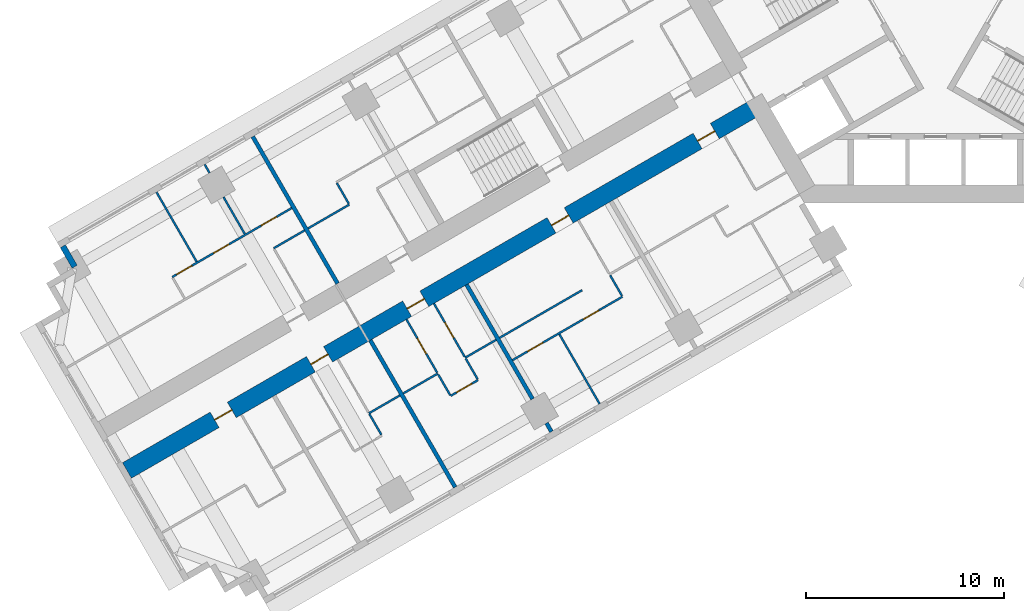
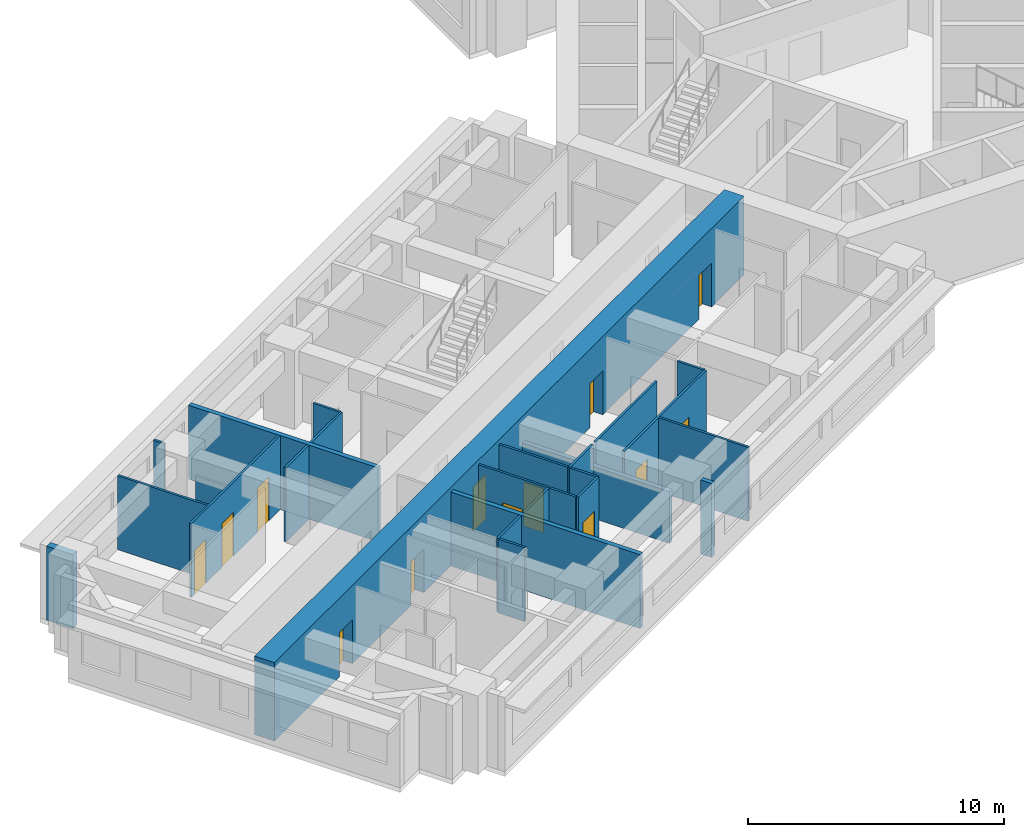
# One storey, part 4 of 16: 26 walls, 13 doors, 13 openings.
"""IFC4 building model written with IfcOpenShell, lengths in metres."""

from ifc_helpers import new_model, si_unit, direction, frame, frame_2d, origin, place, context, subcontext, project, spatial, rectangle, extrude, material, layer, layer_set, type_object, element, fill, save


model = new_model("IFC4")

# Units and contexts
model_context = context("Model", 3, precision=1e-05, world=origin(), true_north=direction((0.0, 1.0)))
body_context = subcontext(model_context, "Body", "Model", "MODEL_VIEW")
ifc_project = project(units=[si_unit("LENGTHUNIT", "METRE"), si_unit("AREAUNIT", "SQUARE_METRE"), si_unit("VOLUMEUNIT", "CUBIC_METRE"), si_unit("PLANEANGLEUNIT", "RADIAN"), si_unit("MASSUNIT", "GRAM", prefix="KILO")], contexts=[model_context])

# Site, building, storey
site_placement = place(None, origin())
site = spatial("IfcSite", under=ifc_project, at=site_placement, CompositionType="ELEMENT")
building_placement = place(site_placement, origin())
building = spatial("IfcBuilding", under=site, at=building_placement, Name="Impinga Residences", CompositionType="ELEMENT")
storey_placement = place(building_placement, frame((0.0, 0.0, 74.75)))
storey = spatial("IfcBuildingStorey", under=building, at=storey_placement, Name="L18", CompositionType="ELEMENT", Elevation=74.75)

# Wall, openings, doors
ifc_material_1 = material(Name="Concrete C70/85", Category="concrete")
ifc_layer_1 = layer(ifc_material_1, 0.89990234375)
ifc_layer_set_1 = layer_set([ifc_layer_1], Name="Concrete C70/85")
wall_type_1 = type_object("IfcWallType", Name="BW1 corridor buttress wall, L05 to L22 900", PredefinedType="SHEAR", material=ifc_layer_set_1)
wall_1_placement = place(storey_placement, frame((-8.910400390625, -6.530029296875, 0.0), z_axis=(0.0, 0.0, 1.0), x_axis=(-0.866025284237, -0.500000207062, 0.0)))
wall_1 = element("IfcWall", 1, at=wall_1_placement, inside=storey, type_object=wall_type_1, Name="Corridor wall BW1 WC L18", PredefinedType="SHEAR", context=body_context, shape_type="SweptSolid", body=[
    extrude(rectangle(XDim=36.75, YDim=0.89990234375, at=frame_2d((18.375, 0.0))), origin(), (0.0, 0.0, 1.0), 3.75),
])
opening_1_placement = place(wall_1_placement, frame((2.550048828125, 0.0, 0.0)))
opening_1 = element("IfcOpeningElement", 2, at=opening_1_placement, cuts=wall_1, Name="Opening D1", PredefinedType="OPENING", context=body_context, shape_type="SweptSolid", body=[
    extrude(rectangle(XDim=1.0, YDim=2.10009765625, at=frame_2d((0.5, 1.050048828125))), frame((0.0, 0.4599609375, 0.0), z_axis=(0.0, -1.0, 0.0), x_axis=(1.0, 0.0, 0.0)), (0.0, 0.0, 1.0), 0.919921875),
])
opening_2_placement = place(wall_1_placement, frame((11.050048828125, 0.0, 0.0)))
opening_2 = element("IfcOpeningElement", 3, at=opening_2_placement, cuts=wall_1, Name="Opening D1", PredefinedType="OPENING", context=body_context, shape_type="SweptSolid", body=[
    extrude(rectangle(XDim=1.0, YDim=2.10009765625, at=frame_2d((0.5, 1.050048828125))), frame((0.0, 0.4599609375, 0.0), z_axis=(0.0, -1.0, 0.0), x_axis=(1.0, 0.0, 0.0)), (0.0, 0.0, 1.0), 0.919921875),
])
opening_3_placement = place(wall_1_placement, frame((19.449951171875, 0.0, 0.0)))
opening_3 = element("IfcOpeningElement", 4, at=opening_3_placement, cuts=wall_1, Name="Opening D1", PredefinedType="OPENING", context=body_context, shape_type="SweptSolid", body=[
    extrude(rectangle(XDim=1.0, YDim=2.10009765625, at=frame_2d((0.5, 1.050048828125))), frame((0.0, 0.4599609375, 0.0), z_axis=(0.0, -1.0, 0.0), x_axis=(1.0, 0.0, 0.0)), (0.0, 0.0, 1.0), 0.919921875),
])
opening_4_placement = place(wall_1_placement, frame((25.050048828125, 0.0, 0.0)))
opening_4 = element("IfcOpeningElement", 5, at=opening_4_placement, cuts=wall_1, Name="Opening D1", PredefinedType="OPENING", context=body_context, shape_type="SweptSolid", body=[
    extrude(rectangle(XDim=1.0, YDim=2.10009765625, at=frame_2d((0.5, 1.050048828125))), frame((0.0, 0.4599609375, 0.0), z_axis=(0.0, -1.0, 0.0), x_axis=(1.0, 0.0, 0.0)), (0.0, 0.0, 1.0), 0.919921875),
])
opening_5_placement = place(wall_1_placement, frame((30.64990234375, 0.0, 0.0)))
opening_5 = element("IfcOpeningElement", 6, at=opening_5_placement, cuts=wall_1, Name="Opening D1", PredefinedType="OPENING", context=body_context, shape_type="SweptSolid", body=[
    extrude(rectangle(XDim=1.0, YDim=2.10009765625, at=frame_2d((0.5, 1.050048828125))), frame((0.0, 0.4599609375, 0.0), z_axis=(0.0, -1.0, 0.0), x_axis=(1.0, 0.0, 0.0)), (0.0, 0.0, 1.0), 0.919921875),
])
ifc_material_2 = material(Name="Timber door set", Category="wood")
door_type_1 = type_object("IfcDoorType", Name="D1 apartment entrance door 1000x2100", OperationType="SINGLE_SWING_LEFT", PredefinedType="DOOR", material=ifc_material_2)
door_1_placement = place(opening_1_placement, origin())
door_1 = element("IfcDoor", 7, at=door_1_placement, inside=storey, type_object=door_type_1, Name="Apartment L18-WA1 entrance", OperationType="SINGLE_SWING_LEFT", OverallHeight=2.10009765625, OverallWidth=1.0, PredefinedType="DOOR", context=body_context, shape_type="SweptSolid", body=[
    extrude(rectangle(XDim=1.0, YDim=2.10009765625, at=frame_2d((0.5, 1.050048828125))), frame((0.0, 0.02490234375, 0.0), z_axis=(0.0, -1.0, 0.0), x_axis=(1.0, 0.0, 0.0)), (0.0, 0.0, 1.0), 0.050048828125),
])
fill(opening_1, door_1)
door_2_placement = place(opening_2_placement, origin())
door_2 = element("IfcDoor", 8, at=door_2_placement, inside=storey, type_object=door_type_1, Name="Apartment L18-WA2 entrance", OperationType="SINGLE_SWING_LEFT", OverallHeight=2.10009765625, OverallWidth=1.0, PredefinedType="DOOR", context=body_context, shape_type="SweptSolid", body=[
    extrude(rectangle(XDim=1.0, YDim=2.10009765625, at=frame_2d((0.5, 1.050048828125))), frame((0.0, 0.02490234375, 0.0), z_axis=(0.0, -1.0, 0.0), x_axis=(1.0, 0.0, 0.0)), (0.0, 0.0, 1.0), 0.050048828125),
])
fill(opening_2, door_2)
door_3_placement = place(opening_3_placement, origin())
door_3 = element("IfcDoor", 9, at=door_3_placement, inside=storey, type_object=door_type_1, Name="Apartment L18-WA3 entrance", OperationType="SINGLE_SWING_RIGHT", OverallHeight=2.10009765625, OverallWidth=1.0, PredefinedType="DOOR", context=body_context, shape_type="SweptSolid", body=[
    extrude(rectangle(XDim=1.0, YDim=2.10009765625, at=frame_2d((0.5, 1.050048828125))), frame((0.0, 0.02490234375, 0.0), z_axis=(0.0, -1.0, 0.0), x_axis=(1.0, 0.0, 0.0)), (0.0, 0.0, 1.0), 0.050048828125),
])
fill(opening_3, door_3)
door_4_placement = place(opening_4_placement, origin())
door_4 = element("IfcDoor", 10, at=door_4_placement, inside=storey, type_object=door_type_1, Name="Apartment L18-WA4 entrance", OperationType="SINGLE_SWING_RIGHT", OverallHeight=2.10009765625, OverallWidth=1.0, PredefinedType="DOOR", context=body_context, shape_type="SweptSolid", body=[
    extrude(rectangle(XDim=1.0, YDim=2.10009765625, at=frame_2d((0.5, 1.050048828125))), frame((0.0, 0.02490234375, 0.0), z_axis=(0.0, -1.0, 0.0), x_axis=(1.0, 0.0, 0.0)), (0.0, 0.0, 1.0), 0.050048828125),
])
fill(opening_4, door_4)
door_5_placement = place(opening_5_placement, origin())
door_5 = element("IfcDoor", 11, at=door_5_placement, inside=storey, type_object=door_type_1, Name="Apartment L18-WA5 entrance", OperationType="SINGLE_SWING_RIGHT", OverallHeight=2.10009765625, OverallWidth=1.0, PredefinedType="DOOR", context=body_context, shape_type="SweptSolid", body=[
    extrude(rectangle(XDim=1.0, YDim=2.10009765625, at=frame_2d((0.5, 1.050048828125))), frame((0.0, 0.02490234375, 0.0), z_axis=(0.0, -1.0, 0.0), x_axis=(1.0, 0.0, 0.0)), (0.0, 0.0, 1.0), 0.050048828125),
])
fill(opening_5, door_5)

# Walls
ifc_material_3 = material(Name="Terracotta rainscreen on blockwork", Category="masonry")
ifc_layer_2 = layer(ifc_material_3, 0.300048828125)
ifc_layer_set_2 = layer_set([ifc_layer_2], Name="EW1 external wall, terracotta rainscreen on blockwork 300")
wall_type_2 = type_object("IfcWallType", Name="EW1 external wall, terracotta rainscreen on blockwork 300", PredefinedType="SOLIDWALL", material=ifc_layer_set_2)
wall_2_placement = place(storey_placement, frame((-43.37109375, -14.64208984375, 0.0), z_axis=(0.0, 0.0, 1.0), x_axis=(-0.500029051137, 0.866008630453, 0.0)))
element("IfcWall", 12, at=wall_2_placement, inside=storey, type_object=wall_type_2, Name="External wall EW1 L18", PredefinedType="SOLIDWALL", context=body_context, shape_type="SweptSolid", body=[
    extrude(rectangle(XDim=1.19482421875, YDim=0.300048828125, at=frame_2d((0.597412109375, 0.0))), origin(), (0.0, 0.0, 1.0), 3.530029296875),
])
ifc_material_4 = material(Name="Gypsum board on steel studs", Category="steel")
ifc_layer_3 = layer(ifc_material_4, 0.10009765625)
ifc_layer_set_3 = layer_set([ifc_layer_3], Name="Gypsum board on steel studs")
wall_type_3 = type_object("IfcWallType", Name="IP1 partition 100", PredefinedType="PARTITIONING", material=ifc_layer_set_3)
wall_3_placement = place(storey_placement, frame((-17.8056640625, -15.82275390625, 0.0), z_axis=(0.0, 0.0, 1.0), x_axis=(-0.866037363387, -0.499979284789, 0.0)))
element("IfcWall", 13, at=wall_3_placement, inside=storey, type_object=wall_type_3, Name="Partition L18-WA2:DIV1", PredefinedType="PARTITIONING", context=body_context, shape_type="SweptSolid", body=[
    extrude(rectangle(XDim=4.800048828125, YDim=0.10009765625, at=frame_2d((2.39990234375, 0.0))), origin(), (0.0, 0.0, 1.0), 3.530029296875),
])

# Wall, openings, doors
wall_4_placement = place(storey_placement, frame((-15.77001953125, -16.1484375, 0.0), z_axis=(0.0, 0.0, 1.0), x_axis=(-0.866018518567, -0.500011925357, 0.0)))
wall_4 = element("IfcWall", 14, at=wall_4_placement, inside=storey, type_object=wall_type_3, Name="Partition L18-WA2:STRIP", PredefinedType="PARTITIONING", context=body_context, shape_type="SweptSolid", body=[
    extrude(rectangle(XDim=6.400146484375, YDim=0.10009765625, at=frame_2d((3.2001953125, 0.0))), origin(), (0.0, 0.0, 1.0), 3.530029296875),
])
opening_6_placement = place(wall_4_placement, frame((1.375, 0.0, 0.0)))
opening_6 = element("IfcOpeningElement", 15, at=opening_6_placement, cuts=wall_4, Name="Opening D2", PredefinedType="OPENING", context=body_context, shape_type="SweptSolid", body=[
    extrude(rectangle(XDim=0.89990234375, YDim=2.10009765625, at=frame_2d((0.449951171875, 1.050048828125))), frame((0.0, 0.06005859375, 0.0), z_axis=(0.0, -1.0, 0.0), x_axis=(1.0, 0.0, 0.0)), (0.0, 0.0, 1.0), 0.1201171875),
])
opening_7_placement = place(wall_4_placement, frame((4.625, 0.0, 0.0)))
opening_7 = element("IfcOpeningElement", 16, at=opening_7_placement, cuts=wall_4, Name="Opening D2", PredefinedType="OPENING", context=body_context, shape_type="SweptSolid", body=[
    extrude(rectangle(XDim=0.89990234375, YDim=2.10009765625, at=frame_2d((0.449951171875, 1.050048828125))), frame((0.0, 0.06005859375, 0.0), z_axis=(0.0, -1.0, 0.0), x_axis=(1.0, 0.0, 0.0)), (0.0, 0.0, 1.0), 0.1201171875),
])
door_type_2 = type_object("IfcDoorType", Name="D2 internal door 900x2100", OperationType="SINGLE_SWING_LEFT", PredefinedType="DOOR", material=ifc_material_2)
door_6_placement = place(opening_6_placement, origin())
door_6 = element("IfcDoor", 17, at=door_6_placement, inside=storey, type_object=door_type_2, Name="Apartment L18-WA2 room door", OperationType="SINGLE_SWING_LEFT", OverallHeight=2.10009765625, OverallWidth=0.89990234375, PredefinedType="DOOR", context=body_context, shape_type="SweptSolid", body=[
    extrude(rectangle(XDim=0.89990234375, YDim=2.10009765625, at=frame_2d((0.449951171875, 1.050048828125))), frame((0.0, 0.02490234375, 0.0), z_axis=(0.0, -1.0, 0.0), x_axis=(1.0, 0.0, 0.0)), (0.0, 0.0, 1.0), 0.050048828125),
])
fill(opening_6, door_6)
door_7_placement = place(opening_7_placement, origin())
door_7 = element("IfcDoor", 18, at=door_7_placement, inside=storey, type_object=door_type_2, Name="Apartment L18-WA2 room door", OperationType="SINGLE_SWING_RIGHT", OverallHeight=2.10009765625, OverallWidth=0.89990234375, PredefinedType="DOOR", context=body_context, shape_type="SweptSolid", body=[
    extrude(rectangle(XDim=0.89990234375, YDim=2.10009765625, at=frame_2d((0.449951171875, 1.050048828125))), frame((0.0, 0.02490234375, 0.0), z_axis=(0.0, -1.0, 0.0), x_axis=(1.0, 0.0, 0.0)), (0.0, 0.0, 1.0), 0.050048828125),
])
fill(opening_7, door_7)

# Walls
wall_5_placement = place(storey_placement, frame((-16.39501953125, -15.06591796875, 0.0), z_axis=(0.0, 0.0, 1.0), x_axis=(0.499880961361, -0.866094119867, 0.0)))
element("IfcWall", 19, at=wall_5_placement, inside=storey, type_object=wall_type_3, Name="Partition L18-WA2:SE0", PredefinedType="PARTITIONING", context=body_context, shape_type="SweptSolid", body=[
    extrude(rectangle(XDim=1.199951171875, YDim=0.10009765625, at=frame_2d((0.60009765625, 0.0))), origin(), (0.0, 0.0, 1.0), 3.530029296875),
])
wall_6_placement = place(storey_placement, frame((-18.949462890625, -18.041748046875, 0.0), z_axis=(0.0, 0.0, 1.0), x_axis=(0.50000943426, -0.866019956843, 0.0)))
element("IfcWall", 20, at=wall_6_placement, inside=storey, type_object=wall_type_3, Name="Partition L18-WA2:OB1", PredefinedType="PARTITIONING", context=body_context, shape_type="SweptSolid", body=[
    extrude(rectangle(XDim=4.05029296875, YDim=0.10009765625, at=frame_2d((2.025146484375, 0.0))), origin(), (0.0, 0.0, 1.0), 3.530029296875),
])
wall_7_placement = place(storey_placement, frame((-22.1357421875, -18.32275390625, 0.0), z_axis=(0.0, 0.0, 1.0), x_axis=(-0.866047807691, -0.499961193289, 0.0)))
element("IfcWall", 21, at=wall_7_placement, inside=storey, type_object=wall_type_3, Name="Partition L18-WA3:DIV0", PredefinedType="PARTITIONING", context=body_context, shape_type="SweptSolid", body=[
    extrude(rectangle(XDim=1.800048828125, YDim=0.10009765625, at=frame_2d((0.89990234375, 0.0))), origin(), (0.0, 0.0, 1.0), 3.530029296875),
])
wall_8_placement = place(storey_placement, frame((-25.080322265625, -20.022705078125, 0.0), z_axis=(0.0, 0.0, 1.0), x_axis=(-0.866010750942, -0.50002537861, 0.0)))
element("IfcWall", 22, at=wall_8_placement, inside=storey, type_object=wall_type_3, Name="Partition L18-WA3:DIV1", PredefinedType="PARTITIONING", context=body_context, shape_type="SweptSolid", body=[
    extrude(rectangle(XDim=2.0, YDim=0.10009765625, at=frame_2d((1.0, 0.0))), origin(), (0.0, 0.0, 1.0), 3.530029296875),
])

# Wall, opening, door
wall_9_placement = place(storey_placement, frame((-23.044677734375, -20.3486328125, 0.0), z_axis=(0.0, 0.0, 1.0), x_axis=(-0.866094119867, -0.499880961361, 0.0)))
wall_9 = element("IfcWall", 23, at=wall_9_placement, inside=storey, type_object=wall_type_3, Name="Partition L18-WA3:STRIP", PredefinedType="PARTITIONING", context=body_context, shape_type="SweptSolid", body=[
    extrude(rectangle(XDim=1.60009765625, YDim=0.10009765625, at=frame_2d((0.800048828125, 0.0))), origin(), (0.0, 0.0, 1.0), 3.530029296875),
])
opening_8_placement = place(wall_9_placement, frame((0.35009765625, 0.0, 0.0)))
opening_8 = element("IfcOpeningElement", 24, at=opening_8_placement, cuts=wall_9, Name="Opening D2", PredefinedType="OPENING", context=body_context, shape_type="SweptSolid", body=[
    extrude(rectangle(XDim=0.89990234375, YDim=2.10009765625, at=frame_2d((0.449951171875, 1.050048828125))), frame((0.0, 0.06005859375, 0.0), z_axis=(0.0, -1.0, 0.0), x_axis=(1.0, 0.0, 0.0)), (0.0, 0.0, 1.0), 0.1201171875),
])
door_8_placement = place(opening_8_placement, origin())
door_8 = element("IfcDoor", 25, at=door_8_placement, inside=storey, type_object=door_type_2, Name="Apartment L18-WA3 room door", OperationType="SINGLE_SWING_LEFT", OverallHeight=2.10009765625, OverallWidth=0.89990234375, PredefinedType="DOOR", context=body_context, shape_type="SweptSolid", body=[
    extrude(rectangle(XDim=0.89990234375, YDim=2.10009765625, at=frame_2d((0.449951171875, 1.050048828125))), frame((0.0, 0.02490234375, 0.0), z_axis=(0.0, -1.0, 0.0), x_axis=(1.0, 0.0, 0.0)), (0.0, 0.0, 1.0), 0.050048828125),
])
fill(opening_8, door_8)

# Walls
for number, where, z_axis, x_axis, name in (
    (26, (-23.669677734375, -19.265869140625, 0.0), (0.0, 0.0, 1.0), (0.500033551112, -0.866006032174, 0.0), "Partition L18-WA3:SE0"),
    (27, (-25.055419921875, -20.06591796875, 0.0), (0.0, 0.0, 1.0), (0.500033551112, -0.866006032174, 0.0), "Partition L18-WA3:SE1"),
):
    element("IfcWall", number, at=place(storey_placement, frame(where, z_axis=z_axis, x_axis=x_axis)), inside=storey, type_object=wall_type_3, Name=name, PredefinedType="PARTITIONING", context=body_context, shape_type="SweptSolid", body=[
        extrude(rectangle(XDim=1.2001953125, YDim=0.10009765625, at=frame_2d((0.60009765625, 0.0))), origin(), (0.0, 0.0, 1.0), 3.530029296875),
    ])

# Wall, opening, door
wall_10_placement = place(storey_placement, frame((-25.269775390625, -16.49462890625, 0.0), z_axis=(0.0, 0.0, 1.0), x_axis=(0.49999285859, -0.86602952684, 0.0)))
wall_10 = element("IfcWall", 28, at=wall_10_placement, inside=storey, type_object=wall_type_3, Name="Partition L18-WA3:IB1", PredefinedType="PARTITIONING", context=body_context, shape_type="SweptSolid", body=[
    extrude(rectangle(XDim=3.10009765625, YDim=0.10009765625, at=frame_2d((1.550048828125, 0.0))), origin(), (0.0, 0.0, 1.0), 3.530029296875),
])
opening_9_placement = place(wall_10_placement, frame((1.10009765625, 0.0, 0.0)))
opening_9 = element("IfcOpeningElement", 29, at=opening_9_placement, cuts=wall_10, Name="Opening D2", PredefinedType="OPENING", context=body_context, shape_type="SweptSolid", body=[
    extrude(rectangle(XDim=0.89990234375, YDim=2.10009765625, at=frame_2d((0.449951171875, 1.050048828125))), frame((0.0, 0.06005859375, 0.0), z_axis=(0.0, -1.0, 0.0), x_axis=(1.0, 0.0, 0.0)), (0.0, 0.0, 1.0), 0.1201171875),
])
door_9_placement = place(opening_9_placement, origin())
door_9 = element("IfcDoor", 30, at=door_9_placement, inside=storey, type_object=door_type_2, Name="Apartment L18-WA3 bathroom door", OperationType="SINGLE_SWING_LEFT", OverallHeight=2.10009765625, OverallWidth=0.89990234375, PredefinedType="DOOR", context=body_context, shape_type="SweptSolid", body=[
    extrude(rectangle(XDim=0.89990234375, YDim=2.10009765625, at=frame_2d((0.449951171875, 1.050048828125))), frame((0.0, 0.02490234375, 0.0), z_axis=(0.0, -1.0, 0.0), x_axis=(1.0, 0.0, 0.0)), (0.0, 0.0, 1.0), 0.050048828125),
])
fill(opening_9, door_9)

wall_11_placement = place(storey_placement, frame((-26.6552734375, -17.294677734375, 0.0), z_axis=(0.0, 0.0, 1.0), x_axis=(0.49999285859, -0.86602952684, 0.0)))
wall_11 = element("IfcWall", 31, at=wall_11_placement, inside=storey, type_object=wall_type_3, Name="Partition L18-WA3:IB2", PredefinedType="PARTITIONING", context=body_context, shape_type="SweptSolid", body=[
    extrude(rectangle(XDim=3.10009765625, YDim=0.10009765625, at=frame_2d((1.550048828125, 0.0))), origin(), (0.0, 0.0, 1.0), 3.530029296875),
])
opening_10_placement = place(wall_11_placement, frame((1.10009765625, 0.0, 0.0)))
opening_10 = element("IfcOpeningElement", 32, at=opening_10_placement, cuts=wall_11, Name="Opening D2", PredefinedType="OPENING", context=body_context, shape_type="SweptSolid", body=[
    extrude(rectangle(XDim=0.89990234375, YDim=2.10009765625, at=frame_2d((0.449951171875, 1.050048828125))), frame((0.0, 0.06005859375, 0.0), z_axis=(0.0, -1.0, 0.0), x_axis=(1.0, 0.0, 0.0)), (0.0, 0.0, 1.0), 0.1201171875),
])
door_10_placement = place(opening_10_placement, origin())
door_10 = element("IfcDoor", 33, at=door_10_placement, inside=storey, type_object=door_type_2, Name="Apartment L18-WA3 WC door", OperationType="SINGLE_SWING_LEFT", OverallHeight=2.10009765625, OverallWidth=0.89990234375, PredefinedType="DOOR", context=body_context, shape_type="SweptSolid", body=[
    extrude(rectangle(XDim=0.89990234375, YDim=2.10009765625, at=frame_2d((0.449951171875, 1.050048828125))), frame((0.0, 0.02490234375, 0.0), z_axis=(0.0, -1.0, 0.0), x_axis=(1.0, 0.0, 0.0)), (0.0, 0.0, 1.0), 0.050048828125),
])
fill(opening_10, door_10)

# Walls
wall_12_placement = place(storey_placement, frame((-26.985595703125, -21.122802734375, 0.0), z_axis=(0.0, 0.0, 1.0), x_axis=(-0.866047807691, -0.499961193289, 0.0)))
element("IfcWall", 34, at=wall_12_placement, inside=storey, type_object=wall_type_3, Name="Partition L18-WA4:DIV0", PredefinedType="PARTITIONING", context=body_context, shape_type="SweptSolid", body=[
    extrude(rectangle(XDim=1.800048828125, YDim=0.10009765625, at=frame_2d((0.89990234375, 0.0))), origin(), (0.0, 0.0, 1.0), 3.530029296875),
])
wall_13_placement = place(storey_placement, frame((-28.51953125, -22.06591796875, 0.0), z_axis=(0.0, 0.0, 1.0), x_axis=(0.500033551112, -0.866006032174, 0.0)))
element("IfcWall", 35, at=wall_13_placement, inside=storey, type_object=wall_type_3, Name="Partition L18-WA4:SE0", PredefinedType="PARTITIONING", context=body_context, shape_type="SweptSolid", body=[
    extrude(rectangle(XDim=1.2001953125, YDim=0.10009765625, at=frame_2d((0.60009765625, 0.0))), origin(), (0.0, 0.0, 1.0), 3.530029296875),
])
wall_14_placement = place(storey_placement, frame((-29.533935546875, -11.5087890625, 0.0), z_axis=(0.0, 0.0, 1.0), x_axis=(-0.866024647952, -0.500001309137, 0.0)))
element("IfcWall", 36, at=wall_14_placement, inside=storey, type_object=wall_type_3, Name="Partition L18-WF2:DIV1", PredefinedType="PARTITIONING", context=body_context, shape_type="SweptSolid", body=[
    extrude(rectangle(XDim=2.39990234375, YDim=0.10009765625, at=frame_2d((1.199951171875, 0.0))), origin(), (0.0, 0.0, 1.0), 3.530029296875),
])
wall_15_placement = place(storey_placement, frame((-29.558837890625, -11.465576171875, 0.0), z_axis=(0.0, 0.0, 1.0), x_axis=(-0.500033551112, 0.866006032174, 0.0)))
element("IfcWall", 37, at=wall_15_placement, inside=storey, type_object=wall_type_3, Name="Partition L18-WF2:SE1", PredefinedType="PARTITIONING", context=body_context, shape_type="SweptSolid", body=[
    extrude(rectangle(XDim=1.2001953125, YDim=0.10009765625, at=frame_2d((0.60009765625, 0.0))), origin(), (0.0, 0.0, 1.0), 3.530029296875),
])
wall_16_placement = place(storey_placement, frame((-31.78564453125, -12.808837890625, 0.0), z_axis=(0.0, 0.0, 1.0), x_axis=(-0.866047807691, -0.499961193289, 0.0)))
element("IfcWall", 38, at=wall_16_placement, inside=storey, type_object=wall_type_3, Name="Partition L18-WF3:DIV0", PredefinedType="PARTITIONING", context=body_context, shape_type="SweptSolid", body=[
    extrude(rectangle(XDim=1.800048828125, YDim=0.10009765625, at=frame_2d((0.89990234375, 0.0))), origin(), (0.0, 0.0, 1.0), 3.530029296875),
])

# Wall, openings, doors
wall_17_placement = place(storey_placement, frame((-32.435546875, -11.68310546875, 0.0), z_axis=(0.0, 0.0, 1.0), x_axis=(-0.866031734426, -0.499989034847, 0.0)))
wall_17 = element("IfcWall", 39, at=wall_17_placement, inside=storey, type_object=wall_type_3, Name="Partition L18-WF3:STRIP", PredefinedType="PARTITIONING", context=body_context, shape_type="SweptSolid", body=[
    extrude(rectangle(XDim=6.949951171875, YDim=0.10009765625, at=frame_2d((3.47509765625, 0.0))), origin(), (0.0, 0.0, 1.0), 3.530029296875),
])
opening_11_placement = place(wall_17_placement, frame((0.875, 0.0, 0.0)))
opening_11 = element("IfcOpeningElement", 40, at=opening_11_placement, cuts=wall_17, Name="Opening D2", PredefinedType="OPENING", context=body_context, shape_type="SweptSolid", body=[
    extrude(rectangle(XDim=0.89990234375, YDim=2.10009765625, at=frame_2d((0.449951171875, 1.050048828125))), frame((0.0, 0.06005859375, 0.0), z_axis=(0.0, -1.0, 0.0), x_axis=(1.0, 0.0, 0.0)), (0.0, 0.0, 1.0), 0.1201171875),
])
opening_12_placement = place(wall_17_placement, frame((3.64990234375, 0.0, 0.0)))
opening_12 = element("IfcOpeningElement", 41, at=opening_12_placement, cuts=wall_17, Name="Opening D2", PredefinedType="OPENING", context=body_context, shape_type="SweptSolid", body=[
    extrude(rectangle(XDim=0.89990234375, YDim=2.10009765625, at=frame_2d((0.449951171875, 1.050048828125))), frame((0.0, 0.06005859375, 0.0), z_axis=(0.0, -1.0, 0.0), x_axis=(1.0, 0.0, 0.0)), (0.0, 0.0, 1.0), 0.1201171875),
])
opening_13_placement = place(wall_17_placement, frame((5.800048828125, 0.0, 0.0)))
opening_13 = element("IfcOpeningElement", 42, at=opening_13_placement, cuts=wall_17, Name="Opening D2", PredefinedType="OPENING", context=body_context, shape_type="SweptSolid", body=[
    extrude(rectangle(XDim=0.89990234375, YDim=2.10009765625, at=frame_2d((0.449951171875, 1.050048828125))), frame((0.0, 0.06005859375, 0.0), z_axis=(0.0, -1.0, 0.0), x_axis=(1.0, 0.0, 0.0)), (0.0, 0.0, 1.0), 0.1201171875),
])
door_11_placement = place(opening_11_placement, origin())
door_11 = element("IfcDoor", 43, at=door_11_placement, inside=storey, type_object=door_type_2, Name="Apartment L18-WF3 room door", OperationType="SINGLE_SWING_LEFT", OverallHeight=2.10009765625, OverallWidth=0.89990234375, PredefinedType="DOOR", context=body_context, shape_type="SweptSolid", body=[
    extrude(rectangle(XDim=0.89990234375, YDim=2.10009765625, at=frame_2d((0.449951171875, 1.050048828125))), frame((0.0, 0.02490234375, 0.0), z_axis=(0.0, -1.0, 0.0), x_axis=(1.0, 0.0, 0.0)), (0.0, 0.0, 1.0), 0.050048828125),
])
fill(opening_11, door_11)
door_12_placement = place(opening_12_placement, origin())
door_12 = element("IfcDoor", 44, at=door_12_placement, inside=storey, type_object=door_type_2, Name="Apartment L18-WF3 room door", OperationType="SINGLE_SWING_RIGHT", OverallHeight=2.10009765625, OverallWidth=0.89990234375, PredefinedType="DOOR", context=body_context, shape_type="SweptSolid", body=[
    extrude(rectangle(XDim=0.89990234375, YDim=2.10009765625, at=frame_2d((0.449951171875, 1.050048828125))), frame((0.0, 0.02490234375, 0.0), z_axis=(0.0, -1.0, 0.0), x_axis=(1.0, 0.0, 0.0)), (0.0, 0.0, 1.0), 0.050048828125),
])
fill(opening_12, door_12)
door_13_placement = place(opening_13_placement, origin())
door_13 = element("IfcDoor", 45, at=door_13_placement, inside=storey, type_object=door_type_2, Name="Apartment L18-WF3 room door", OperationType="SINGLE_SWING_RIGHT", OverallHeight=2.10009765625, OverallWidth=0.89990234375, PredefinedType="DOOR", context=body_context, shape_type="SweptSolid", body=[
    extrude(rectangle(XDim=0.89990234375, YDim=2.10009765625, at=frame_2d((0.449951171875, 1.050048828125))), frame((0.0, 0.02490234375, 0.0), z_axis=(0.0, -1.0, 0.0), x_axis=(1.0, 0.0, 0.0)), (0.0, 0.0, 1.0), 0.050048828125),
])
fill(opening_13, door_13)

# Walls
wall_18_placement = place(storey_placement, frame((-34.798828125, -12.98974609375, 0.0), z_axis=(0.0, 0.0, 1.0), x_axis=(-0.499961633463, 0.866047553582, 0.0)))
element("IfcWall", 46, at=wall_18_placement, inside=storey, type_object=wall_type_3, Name="Partition L18-WF3:OB1", PredefinedType="PARTITIONING", context=body_context, shape_type="SweptSolid", body=[
    extrude(rectangle(XDim=2.150146484375, YDim=0.10009765625, at=frame_2d((1.0751953125, 0.0))), origin(), (0.0, 0.0, 1.0), 2.47998046875),
])
wall_19_placement = place(storey_placement, frame((-36.57373046875, -9.915283203125, 0.0), z_axis=(0.0, 0.0, 1.0), x_axis=(-0.500131122175, 0.865949687125, 0.0)))
element("IfcWall", 47, at=wall_19_placement, inside=storey, type_object=wall_type_3, Name="Partition L18-WF3:OB1b", PredefinedType="PARTITIONING", context=body_context, shape_type="SweptSolid", body=[
    extrude(rectangle(XDim=0.499755859375, YDim=0.10009765625, at=frame_2d((0.25, 0.0))), origin(), (0.0, 0.0, 1.0), 3.530029296875),
])
wall_20_placement = place(storey_placement, frame((-37.2236328125, -14.3896484375, 0.0), z_axis=(0.0, 0.0, 1.0), x_axis=(-0.500035537042, 0.866004885491, 0.0)))
element("IfcWall", 48, at=wall_20_placement, inside=storey, type_object=wall_type_3, Name="Partition L18-WF3:OB2", PredefinedType="PARTITIONING", context=body_context, shape_type="SweptSolid", body=[
    extrude(rectangle(XDim=4.050048828125, YDim=0.10009765625, at=frame_2d((2.02490234375, 0.0))), origin(), (0.0, 0.0, 1.0), 3.530029296875),
])
ifc_material_5 = material(Name="Concrete blockwork", Category="masonry")
ifc_layer_4 = layer(ifc_material_5, 0.199951171875)
ifc_layer_set_4 = layer_set([ifc_layer_4], Name="PW1 party wall between apartments 200")
wall_type_4 = type_object("IfcWallType", Name="PW1 party wall between apartments 200", PredefinedType="SOLIDWALL", material=ifc_layer_set_4)
wall_21_placement = place(storey_placement, frame((-23.624267578125, -15.544677734375, 0.0), z_axis=(0.0, 0.0, 1.0), x_axis=(0.49999681972, -0.866027239912, 0.0)))
element("IfcWall", 49, at=wall_21_placement, inside=storey, type_object=wall_type_4, Name="Party wall between apartments L18-WA2:PARTY", PredefinedType="SOLIDWALL", context=body_context, shape_type="SweptSolid", body=[
    extrude(rectangle(XDim=6.64990234375, YDim=0.199951171875, at=frame_2d((3.324951171875, 0.0))), origin(), (0.0, 0.0, 1.0), 2.47998046875),
])
wall_22_placement = place(storey_placement, frame((-19.59912109375, -22.51611328125, 0.0), z_axis=(0.0, 0.0, 1.0), x_axis=(0.499919672301, -0.866071776036, 0.0)))
element("IfcWall", 50, at=wall_22_placement, inside=storey, type_object=wall_type_4, Name="Party wall between apartments L18-WA2:PARTYb", PredefinedType="SOLIDWALL", context=body_context, shape_type="SweptSolid", body=[
    extrude(rectangle(XDim=0.5, YDim=0.199951171875, at=frame_2d((0.25, 0.0))), origin(), (0.0, 0.0, 1.0), 3.530029296875),
])
for number, where, z_axis, x_axis, name in (
    (51, (-28.473876953125, -18.3447265625, 0.0), (0.0, 0.0, 1.0), (0.499990227581, -0.86603104582, 0.0), "Party wall between apartments L18-WA3:PARTY"),
    (52, (-30.1240234375, -15.48681640625, 0.0), (0.0, 0.0, 1.0), (-0.499990227581, 0.86603104582, 0.0), "Party wall between apartments L18-WF2:PARTY"),
):
    element("IfcWall", number, at=place(storey_placement, frame(where, z_axis=z_axis, x_axis=x_axis)), inside=storey, type_object=wall_type_4, Name=name, PredefinedType="SOLIDWALL", context=body_context, shape_type="SweptSolid", body=[
        extrude(rectangle(XDim=8.550048828125, YDim=0.199951171875, at=frame_2d((4.27490234375, 0.0))), origin(), (0.0, 0.0, 1.0), 3.530029296875),
    ])

save(model, "model.ifc")
